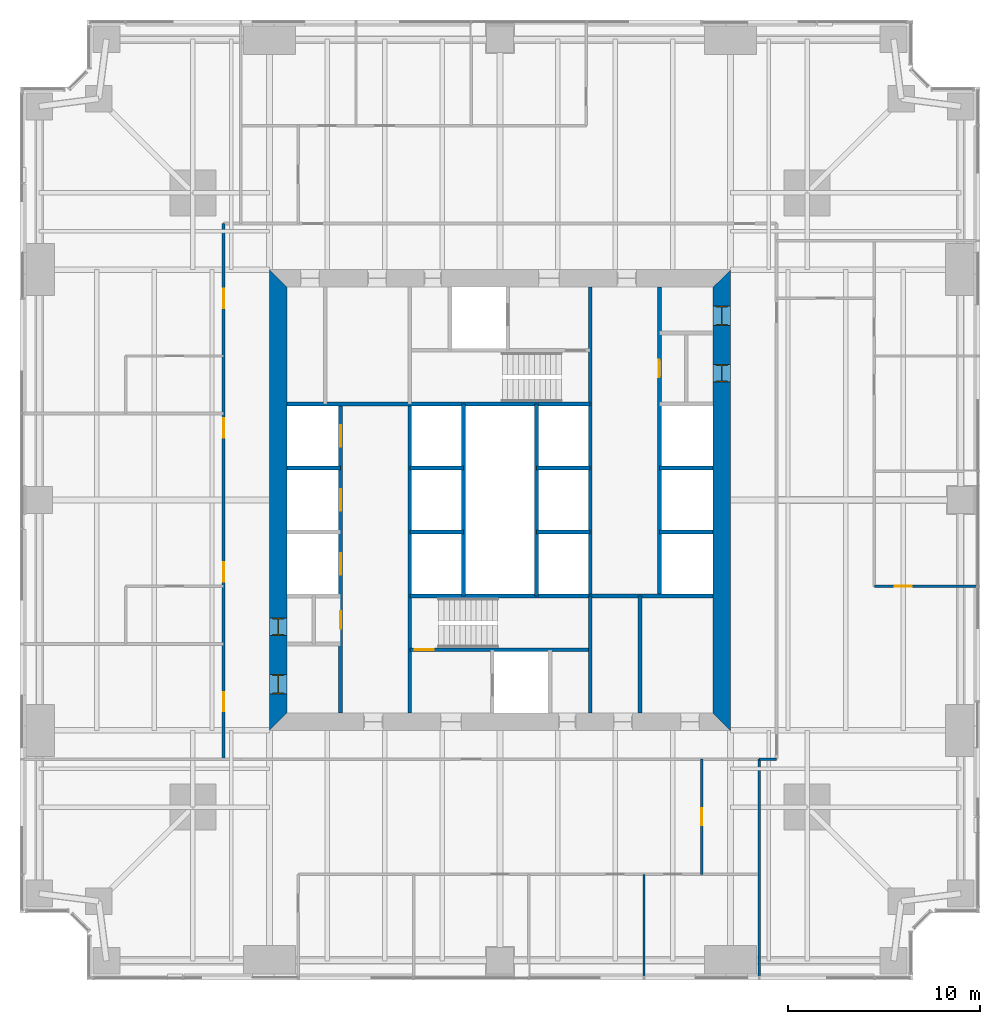
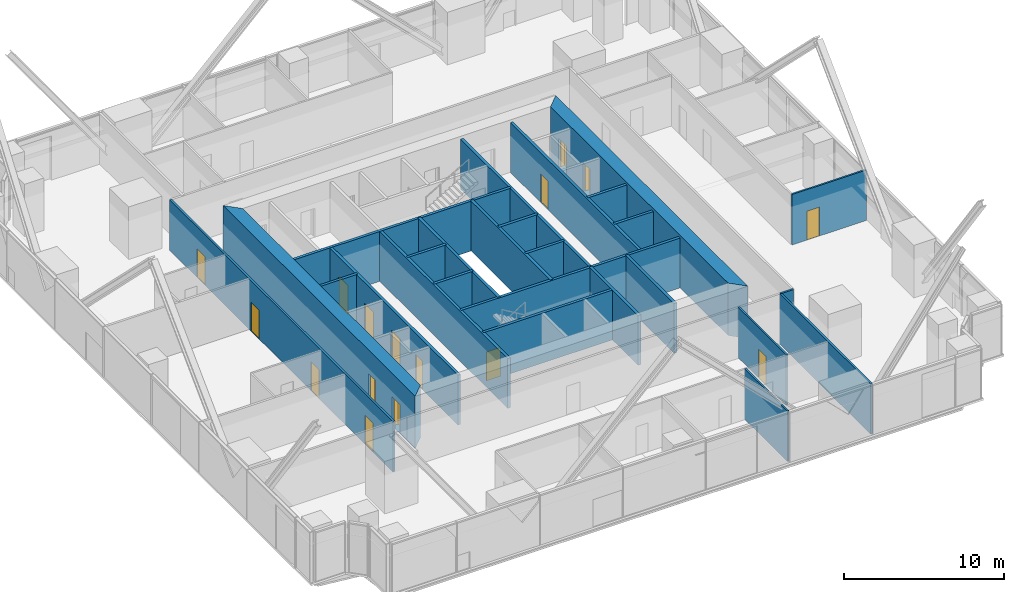
# One storey, part 10 of 14: 26 walls, 16 doors, 16 openings.
"""IFC4 building model written with IfcOpenShell, lengths in metres."""

from ifc_helpers import new_model, si_unit, direction, frame, frame_2d, origin, place, context, subcontext, project, spatial, polyline, rectangle, outline, extrude, material, layer, layer_set, type_object, element, fill, save


model = new_model("IFC4")

# Units and contexts
model_context = context("Model", 3, precision=1e-05, world=origin(), true_north=direction((0.0, 1.0)))
body_context = subcontext(model_context, "Body", "Model", "MODEL_VIEW")
ifc_project = project(units=[si_unit("LENGTHUNIT", "METRE"), si_unit("AREAUNIT", "SQUARE_METRE"), si_unit("VOLUMEUNIT", "CUBIC_METRE"), si_unit("PLANEANGLEUNIT", "RADIAN"), si_unit("MASSUNIT", "GRAM", prefix="KILO")], contexts=[model_context])

# Site, building, storey
site_placement = place(None, origin())
site = spatial("IfcSite", under=ifc_project, at=site_placement, CompositionType="ELEMENT")
building_placement = place(site_placement, origin())
building = spatial("IfcBuilding", under=site, at=building_placement, Name="Fenwick Lantern Interchange", CompositionType="ELEMENT")
storey_placement = place(building_placement, frame((0.0, 0.0, 79.0)))
storey = spatial("IfcBuildingStorey", under=building, at=storey_placement, Name="L18", CompositionType="ELEMENT", Elevation=79.0)

# Wall, openings, doors
ifc_material_1 = material(Name="Concrete masonry ASTM C90 Grade N", Category="masonry")
ifc_layer_1 = layer(ifc_material_1, 0.199951171875)
ifc_layer_set_1 = layer_set([ifc_layer_1], Name="Concrete masonry ASTM C90 Grade N")
wall_type_1 = type_object("IfcWallType", Name="CORE PARTITION 200", PredefinedType="PARTITIONING", material=ifc_layer_set_1)
wall_1_placement = place(storey_placement, frame((16.699951171875, 13.89990234375, 0.0), z_axis=(0.0, 0.0, 1.0), x_axis=(0.0, 1.0, 0.0)))
wall_1 = element("IfcWall", 1, at=wall_1_placement, inside=storey, type_object=wall_type_1, Name="L18/W/CORES/a", PredefinedType="PARTITIONING", context=body_context, shape_type="SweptSolid", body=[
    extrude(rectangle(XDim=16.10009765625, YDim=0.199951171875, at=frame_2d((8.050048828125, 0.0))), origin(), (0.0, 0.0, 1.0), 3.800048828125),
])
opening_1_placement = place(wall_1_placement, frame((4.39990234375, 0.0, 0.0)))
opening_1 = element("IfcOpeningElement", 2, at=opening_1_placement, cuts=wall_1, Name="Opening L18-D008", PredefinedType="OPENING", context=body_context, shape_type="SweptSolid", body=[
    extrude(rectangle(XDim=0.89990234375, YDim=2.199951171875, at=frame_2d((0.449951171875, 1.10009765625))), frame((0.0, 0.10986328125, 0.0), z_axis=(0.0, -1.0, 0.0), x_axis=(1.0, 0.0, 0.0)), (0.0, 0.0, 1.0), 0.219970703125),
])
opening_2_placement = place(wall_1_placement, frame((7.216552734375, 0.0, 0.0)))
opening_2 = element("IfcOpeningElement", 3, at=opening_2_placement, cuts=wall_1, Name="Opening LD-W1-1", PredefinedType="OPENING", context=body_context, shape_type="SweptSolid", body=[
    extrude(rectangle(XDim=1.10009765625, YDim=2.199951171875, at=frame_2d((0.550048828125, 1.10009765625))), frame((0.0, 0.10986328125, 0.0), z_axis=(0.0, -1.0, 0.0), x_axis=(1.0, 0.0, 0.0)), (0.0, 0.0, 1.0), 0.219970703125),
])
opening_3_placement = place(wall_1_placement, frame((10.550048828125, 0.0, 0.0)))
opening_3 = element("IfcOpeningElement", 4, at=opening_3_placement, cuts=wall_1, Name="Opening LD-W1-2", PredefinedType="OPENING", context=body_context, shape_type="SweptSolid", body=[
    extrude(rectangle(XDim=1.10009765625, YDim=2.199951171875, at=frame_2d((0.550048828125, 1.10009765625))), frame((0.0, 0.10986328125, 0.0), z_axis=(0.0, -1.0, 0.0), x_axis=(1.0, 0.0, 0.0)), (0.0, 0.0, 1.0), 0.219970703125),
])
opening_4_placement = place(wall_1_placement, frame((13.88330078125, 0.0, 0.0)))
opening_4 = element("IfcOpeningElement", 5, at=opening_4_placement, cuts=wall_1, Name="Opening LD-W1-3", PredefinedType="OPENING", context=body_context, shape_type="SweptSolid", body=[
    extrude(rectangle(XDim=1.10009765625, YDim=2.199951171875, at=frame_2d((0.550048828125, 1.10009765625))), frame((0.0, 0.10986328125, 0.0), z_axis=(0.0, -1.0, 0.0), x_axis=(1.0, 0.0, 0.0)), (0.0, 0.0, 1.0), 0.219970703125),
])
ifc_material_2 = material(Name="Steel door and frame", Category="steel")
door_type_1 = type_object("IfcDoorType", Name="LIFT LANDING DOOR 1100 X 2200", OperationType="DOUBLE_DOOR_SLIDING", PredefinedType="DOOR", material=ifc_material_2)
door_1_placement = place(opening_2_placement, origin())
door_1 = element("IfcDoor", 6, at=door_1_placement, inside=storey, type_object=door_type_1, Name="Lift landing door W1-1", OperationType="DOUBLE_DOOR_SLIDING", OverallHeight=2.199951171875, OverallWidth=1.10009765625, PredefinedType="DOOR", context=body_context, shape_type="SweptSolid", body=[
    extrude(rectangle(XDim=1.10009765625, YDim=2.199951171875, at=frame_2d((0.550048828125, 1.10009765625))), frame((0.0, 0.02490234375, 0.0), z_axis=(0.0, -1.0, 0.0), x_axis=(1.0, 0.0, 0.0)), (0.0, 0.0, 1.0), 0.050048828125),
])
fill(opening_2, door_1)
door_2_placement = place(opening_3_placement, origin())
door_2 = element("IfcDoor", 7, at=door_2_placement, inside=storey, type_object=door_type_1, Name="Lift landing door W1-2", OperationType="DOUBLE_DOOR_SLIDING", OverallHeight=2.199951171875, OverallWidth=1.10009765625, PredefinedType="DOOR", context=body_context, shape_type="SweptSolid", body=[
    extrude(rectangle(XDim=1.10009765625, YDim=2.199951171875, at=frame_2d((0.550048828125, 1.10009765625))), frame((0.0, 0.02490234375, 0.0), z_axis=(0.0, -1.0, 0.0), x_axis=(1.0, 0.0, 0.0)), (0.0, 0.0, 1.0), 0.050048828125),
])
fill(opening_3, door_2)
door_3_placement = place(opening_4_placement, origin())
door_3 = element("IfcDoor", 8, at=door_3_placement, inside=storey, type_object=door_type_1, Name="Lift landing door W1-3", OperationType="DOUBLE_DOOR_SLIDING", OverallHeight=2.199951171875, OverallWidth=1.10009765625, PredefinedType="DOOR", context=body_context, shape_type="SweptSolid", body=[
    extrude(rectangle(XDim=1.10009765625, YDim=2.199951171875, at=frame_2d((0.550048828125, 1.10009765625))), frame((0.0, 0.02490234375, 0.0), z_axis=(0.0, -1.0, 0.0), x_axis=(1.0, 0.0, 0.0)), (0.0, 0.0, 1.0), 0.050048828125),
])
fill(opening_4, door_3)
door_type_2 = type_object("IfcDoorType", Name="SERVICE DOOR 900 X 2200", OperationType="SINGLE_SWING_LEFT", PredefinedType="DOOR", material=ifc_material_2)
door_4_placement = place(opening_1_placement, origin())
door_4 = element("IfcDoor", 9, at=door_4_placement, inside=storey, type_object=door_type_2, Name="Service door", OperationType="SINGLE_SWING_LEFT", OverallHeight=2.199951171875, OverallWidth=0.89990234375, PredefinedType="DOOR", context=body_context, shape_type="SweptSolid", body=[
    extrude(rectangle(XDim=0.89990234375, YDim=2.199951171875, at=frame_2d((0.449951171875, 1.10009765625))), frame((0.0, 0.02490234375, 0.0), z_axis=(0.0, -1.0, 0.0), x_axis=(1.0, 0.0, 0.0)), (0.0, 0.0, 1.0), 0.050048828125),
])
fill(opening_1, door_4)

# Walls
for number, where, z_axis, x_axis, name in (
    (10, (13.89990234375, 26.666748046875, 0.0), (0.0, 0.0, 1.0), (1.0, 0.0, 0.0), "L18/W/CORES/d2"),
    (11, (20.300048828125, 23.333251953125, 0.0), (0.0, 0.0, 1.0), (1.0, 0.0, 0.0), "L18/W/CORES/e1"),
    (12, (20.300048828125, 26.666748046875, 0.0), (0.0, 0.0, 1.0), (1.0, 0.0, 0.0), "L18/W/CORES/e2"),
):
    element("IfcWall", number, at=place(storey_placement, frame(where, z_axis=z_axis, x_axis=x_axis)), inside=storey, type_object=wall_type_1, Name=name, PredefinedType="PARTITIONING", context=body_context, shape_type="SweptSolid", body=[
        extrude(rectangle(XDim=2.800048828125, YDim=0.199951171875, at=frame_2d((1.39990234375, 0.0))), origin(), (0.0, 0.0, 1.0), 3.800048828125),
    ])
wall_2_placement = place(storey_placement, frame((23.10009765625, 20.0, 0.0), z_axis=(0.0, 0.0, 1.0), x_axis=(0.0, 1.0, 0.0)))
element("IfcWall", 13, at=wall_2_placement, inside=storey, type_object=wall_type_1, Name="L18/W/CORES/e3", PredefinedType="PARTITIONING", context=body_context, shape_type="SweptSolid", body=[
    extrude(rectangle(XDim=10.0, YDim=0.199951171875, at=frame_2d((5.0, 0.0))), origin(), (0.0, 0.0, 1.0), 3.800048828125),
])
wall_3_placement = place(storey_placement, frame((32.300048828125, 13.89990234375, 0.0), z_axis=(0.0, 0.0, 1.0), x_axis=(0.0, 1.0, 0.0)))
element("IfcWall", 14, at=wall_3_placement, inside=storey, type_object=wall_type_1, Name="L18/W/CORES/i2", PredefinedType="PARTITIONING", context=body_context, shape_type="SweptSolid", body=[
    extrude(rectangle(XDim=6.10009765625, YDim=0.199951171875, at=frame_2d((3.050048828125, 0.0))), origin(), (0.0, 0.0, 1.0), 3.800048828125),
])

# Wall, opening, door
wall_4_placement = place(storey_placement, frame((33.300048828125, 36.10009765625, 0.0), z_axis=(0.0, 0.0, 1.0), x_axis=(0.0, -1.0, 0.0)))
wall_4 = element("IfcWall", 15, at=wall_4_placement, inside=storey, type_object=wall_type_1, Name="L18/W/COREN/a", PredefinedType="PARTITIONING", context=body_context, shape_type="SweptSolid", body=[
    extrude(rectangle(XDim=16.10009765625, YDim=0.199951171875, at=frame_2d((8.050048828125, 0.0))), origin(), (0.0, 0.0, 1.0), 3.800048828125),
])
opening_5_placement = place(wall_4_placement, frame((3.800048828125, 0.0, 0.0)))
opening_5 = element("IfcOpeningElement", 16, at=opening_5_placement, cuts=wall_4, Name="Opening L18-D017", PredefinedType="OPENING", context=body_context, shape_type="SweptSolid", body=[
    extrude(rectangle(XDim=0.89990234375, YDim=2.199951171875, at=frame_2d((0.449951171875, 1.10009765625))), frame((0.0, 0.10986328125, 0.0), z_axis=(0.0, -1.0, 0.0), x_axis=(1.0, 0.0, 0.0)), (0.0, 0.0, 1.0), 0.219970703125),
])
door_5_placement = place(opening_5_placement, origin())
door_5 = element("IfcDoor", 17, at=door_5_placement, inside=storey, type_object=door_type_2, Name="Service door", OperationType="SINGLE_SWING_LEFT", OverallHeight=2.199951171875, OverallWidth=0.89990234375, PredefinedType="DOOR", context=body_context, shape_type="SweptSolid", body=[
    extrude(rectangle(XDim=0.89990234375, YDim=2.199951171875, at=frame_2d((0.449951171875, 1.10009765625))), frame((0.0, 0.02490234375, 0.0), z_axis=(0.0, -1.0, 0.0), x_axis=(1.0, 0.0, 0.0)), (0.0, 0.0, 1.0), 0.050048828125),
])
fill(opening_5, door_5)

# Walls
for number, where, z_axis, x_axis, name in (
    (18, (36.10009765625, 26.666748046875, 0.0), (0.0, 0.0, 1.0), (-1.0, 0.0, 0.0), "L18/W/COREN/d1"),
    (19, (36.10009765625, 23.333251953125, 0.0), (0.0, 0.0, 1.0), (-1.0, 0.0, 0.0), "L18/W/COREN/d2"),
    (20, (29.699951171875, 26.666748046875, 0.0), (0.0, 0.0, 1.0), (-1.0, 0.0, 0.0), "L18/W/COREN/e1"),
    (21, (29.699951171875, 23.333251953125, 0.0), (0.0, 0.0, 1.0), (-1.0, 0.0, 0.0), "L18/W/COREN/e2"),
):
    element("IfcWall", number, at=place(storey_placement, frame(where, z_axis=z_axis, x_axis=x_axis)), inside=storey, type_object=wall_type_1, Name=name, PredefinedType="PARTITIONING", context=body_context, shape_type="SweptSolid", body=[
        extrude(rectangle(XDim=2.800048828125, YDim=0.199951171875, at=frame_2d((1.39990234375, 0.0))), origin(), (0.0, 0.0, 1.0), 3.800048828125),
    ])
wall_5_placement = place(storey_placement, frame((26.89990234375, 30.0, 0.0), z_axis=(0.0, 0.0, 1.0), x_axis=(0.0, -1.0, 0.0)))
element("IfcWall", 22, at=wall_5_placement, inside=storey, type_object=wall_type_1, Name="L18/W/COREN/e3", PredefinedType="PARTITIONING", context=body_context, shape_type="SweptSolid", body=[
    extrude(rectangle(XDim=10.0, YDim=0.199951171875, at=frame_2d((5.0, 0.0))), origin(), (0.0, 0.0, 1.0), 3.800048828125),
])

# Wall, openings, doors
ifc_material_3 = material(Name="Concrete f'c 70 MPa", Category="concrete")
ifc_layer_2 = layer(ifc_material_3, 0.89990234375)
ifc_layer_set_2 = layer_set([ifc_layer_2], Name="CORE WALL 900")
wall_type_2 = type_object("IfcWallType", Name="CORE WALL 900", PredefinedType="SHEAR", material=ifc_layer_set_2)
wall_6_placement = place(storey_placement, frame((36.550048828125, 13.89990234375, 0.0), z_axis=(0.0, 0.0, 1.0), x_axis=(0.0, 1.0, 0.0)))
wall_6 = element("IfcWall", 23, at=wall_6_placement, inside=storey, type_object=wall_type_2, Name="L18/CORE/E", PredefinedType="SHEAR", context=body_context, shape_type="SweptSolid", body=[
    extrude(outline(polyline([(-0.89990234375, -0.449951171875), (23.10009765625, -0.449951171875), (22.199951171875, 0.449951171875), (0.0, 0.449951171875), (-0.89990234375, -0.449951171875)])), origin(), (0.0, 0.0, 1.0), 4.0),
])
opening_6_placement = place(wall_6_placement, frame((20.199951171875, 0.0, 0.0)))
opening_6 = element("IfcOpeningElement", 24, at=opening_6_placement, cuts=wall_6, Name="Opening L18-D016", PredefinedType="OPENING", context=body_context, shape_type="SweptSolid", body=[
    extrude(rectangle(XDim=1.0, YDim=2.199951171875, at=frame_2d((0.5, 1.10009765625))), frame((0.0, 0.4599609375, 0.0), z_axis=(0.0, -1.0, 0.0), x_axis=(1.0, 0.0, 0.0)), (0.0, 0.0, 1.0), 0.919921875),
])
opening_7_placement = place(wall_6_placement, frame((17.25, 0.0, 0.0)))
opening_7 = element("IfcOpeningElement", 25, at=opening_7_placement, cuts=wall_6, Name="Opening L18-D018", PredefinedType="OPENING", context=body_context, shape_type="SweptSolid", body=[
    extrude(rectangle(XDim=0.89990234375, YDim=2.199951171875, at=frame_2d((0.449951171875, 1.10009765625))), frame((0.0, 0.4599609375, 0.0), z_axis=(0.0, -1.0, 0.0), x_axis=(1.0, 0.0, 0.0)), (0.0, 0.0, 1.0), 0.919921875),
])
door_type_3 = type_object("IfcDoorType", Name="SERVICE DOOR 1000 X 2200", OperationType="SINGLE_SWING_LEFT", PredefinedType="DOOR", material=ifc_material_2)
door_6_placement = place(opening_6_placement, origin())
door_6 = element("IfcDoor", 26, at=door_6_placement, inside=storey, type_object=door_type_3, Name="Service door", OperationType="SINGLE_SWING_LEFT", OverallHeight=2.199951171875, OverallWidth=1.0, PredefinedType="DOOR", context=body_context, shape_type="SweptSolid", body=[
    extrude(rectangle(XDim=1.0, YDim=2.199951171875, at=frame_2d((0.5, 1.10009765625))), frame((0.0, 0.02490234375, 0.0), z_axis=(0.0, -1.0, 0.0), x_axis=(1.0, 0.0, 0.0)), (0.0, 0.0, 1.0), 0.050048828125),
    extrude(outline(polyline([(0.0, 0.0), (0.0400390625, 0.0), (0.0400390625, 2.159912109375), (0.9599609375, 2.159912109375), (0.9599609375, 0.0), (1.0, 0.0), (1.0, 2.199951171875), (0.0, 2.199951171875), (0.0, 0.0)])), frame((0.0, 0.300048828125, 0.0), z_axis=(0.0, -1.0, 0.0), x_axis=(1.0, 0.0, 0.0)), (0.0, 0.0, 1.0), 0.60009765625),
])
fill(opening_6, door_6)
door_7_placement = place(opening_7_placement, origin())
door_7 = element("IfcDoor", 27, at=door_7_placement, inside=storey, type_object=door_type_2, Name="Service door", OperationType="SINGLE_SWING_LEFT", OverallHeight=2.199951171875, OverallWidth=0.89990234375, PredefinedType="DOOR", context=body_context, shape_type="SweptSolid", body=[
    extrude(rectangle(XDim=0.89990234375, YDim=2.199951171875, at=frame_2d((0.449951171875, 1.10009765625))), frame((0.0, 0.02490234375, 0.0), z_axis=(0.0, -1.0, 0.0), x_axis=(1.0, 0.0, 0.0)), (0.0, 0.0, 1.0), 0.050048828125),
    extrude(outline(polyline([(0.0, 0.0), (0.0400390625, 0.0), (0.0400390625, 2.159912109375), (0.85986328125, 2.159912109375), (0.85986328125, 0.0), (0.89990234375, 0.0), (0.89990234375, 2.199951171875), (0.0, 2.199951171875), (0.0, 0.0)])), frame((0.0, 0.300048828125, 0.0), z_axis=(0.0, -1.0, 0.0), x_axis=(1.0, 0.0, 0.0)), (0.0, 0.0, 1.0), 0.60009765625),
])
fill(opening_7, door_7)

wall_7_placement = place(storey_placement, frame((13.449951171875, 36.10009765625, 0.0), z_axis=(0.0, 0.0, 1.0), x_axis=(0.0, -1.0, 0.0)))
wall_7 = element("IfcWall", 28, at=wall_7_placement, inside=storey, type_object=wall_type_2, Name="L18/CORE/W", PredefinedType="SHEAR", context=body_context, shape_type="SweptSolid", body=[
    extrude(outline(polyline([(-0.89990234375, -0.449951171875), (23.10009765625, -0.449951171875), (22.199951171875, 0.449951171875), (0.0, 0.449951171875), (-0.89990234375, -0.449951171875)])), origin(), (0.0, 0.0, 1.0), 4.0),
])
opening_8_placement = place(wall_7_placement, frame((20.199951171875, 0.0, 0.0)))
opening_8 = element("IfcOpeningElement", 29, at=opening_8_placement, cuts=wall_7, Name="Opening L18-D007", PredefinedType="OPENING", context=body_context, shape_type="SweptSolid", body=[
    extrude(rectangle(XDim=1.0, YDim=2.199951171875, at=frame_2d((0.5, 1.10009765625))), frame((0.0, 0.4599609375, 0.0), z_axis=(0.0, -1.0, 0.0), x_axis=(1.0, 0.0, 0.0)), (0.0, 0.0, 1.0), 0.919921875),
])
opening_9_placement = place(wall_7_placement, frame((17.25, 0.0, 0.0)))
opening_9 = element("IfcOpeningElement", 30, at=opening_9_placement, cuts=wall_7, Name="Opening L18-D009", PredefinedType="OPENING", context=body_context, shape_type="SweptSolid", body=[
    extrude(rectangle(XDim=0.89990234375, YDim=2.199951171875, at=frame_2d((0.449951171875, 1.10009765625))), frame((0.0, 0.4599609375, 0.0), z_axis=(0.0, -1.0, 0.0), x_axis=(1.0, 0.0, 0.0)), (0.0, 0.0, 1.0), 0.919921875),
])
door_8_placement = place(opening_9_placement, origin())
door_8 = element("IfcDoor", 31, at=door_8_placement, inside=storey, type_object=door_type_2, Name="Service door", OperationType="SINGLE_SWING_RIGHT", OverallHeight=2.199951171875, OverallWidth=0.89990234375, PredefinedType="DOOR", context=body_context, shape_type="SweptSolid", body=[
    extrude(rectangle(XDim=0.89990234375, YDim=2.199951171875, at=frame_2d((0.449951171875, 1.10009765625))), frame((0.0, 0.02490234375, 0.0), z_axis=(0.0, -1.0, 0.0), x_axis=(1.0, 0.0, 0.0)), (0.0, 0.0, 1.0), 0.050048828125),
    extrude(outline(polyline([(0.0, 0.0), (0.0400390625, 0.0), (0.0400390625, 2.159912109375), (0.85986328125, 2.159912109375), (0.85986328125, 0.0), (0.89990234375, 0.0), (0.89990234375, 2.199951171875), (0.0, 2.199951171875), (0.0, 0.0)])), frame((0.0, 0.300048828125, 0.0), z_axis=(0.0, -1.0, 0.0), x_axis=(1.0, 0.0, 0.0)), (0.0, 0.0, 1.0), 0.60009765625),
])
fill(opening_9, door_8)
ifc_material_4 = material(Name="Hardwood door and steel frame", Category="steel")
door_type_4 = type_object("IfcDoorType", Name="WC DOOR 1000 X 2200", OperationType="SINGLE_SWING_LEFT", PredefinedType="DOOR", material=ifc_material_4)
door_9_placement = place(opening_8_placement, origin())
door_9 = element("IfcDoor", 32, at=door_9_placement, inside=storey, type_object=door_type_4, Name="Wc door", OperationType="SINGLE_SWING_RIGHT", OverallHeight=2.199951171875, OverallWidth=1.0, PredefinedType="DOOR", context=body_context, shape_type="SweptSolid", body=[
    extrude(rectangle(XDim=1.0, YDim=2.199951171875, at=frame_2d((0.5, 1.10009765625))), frame((0.0, 0.02490234375, 0.0), z_axis=(0.0, -1.0, 0.0), x_axis=(1.0, 0.0, 0.0)), (0.0, 0.0, 1.0), 0.050048828125),
    extrude(outline(polyline([(0.0, 0.0), (0.0400390625, 0.0), (0.0400390625, 2.159912109375), (0.9599609375, 2.159912109375), (0.9599609375, 0.0), (1.0, 0.0), (1.0, 2.199951171875), (0.0, 2.199951171875), (0.0, 0.0)])), frame((0.0, 0.300048828125, 0.0), z_axis=(0.0, -1.0, 0.0), x_axis=(1.0, 0.0, 0.0)), (0.0, 0.0, 1.0), 0.60009765625),
])
fill(opening_8, door_9)

# Wall
ifc_material_5 = material(Name="Gypsum board on steel studs, 1 hour", Category="steel")
ifc_layer_3 = layer(ifc_material_5, 0.14990234375)
ifc_layer_set_3 = layer_set([ifc_layer_3], Name="CORRIDOR WALL 150")
wall_type_3 = type_object("IfcWallType", Name="CORRIDOR WALL 150", PredefinedType="PARTITIONING", material=ifc_layer_set_3)
wall_8_placement = place(storey_placement, frame((38.5, 11.5, 0.0), z_axis=(0.0, 0.0, 1.0), x_axis=(1.0, 0.0, 0.0)))
element("IfcWall", 33, at=wall_8_placement, inside=storey, type_object=wall_type_3, Name="L18/W/OFF/E/CWJ", PredefinedType="PARTITIONING", context=body_context, shape_type="SweptSolid", body=[
    extrude(rectangle(XDim=0.89990234375, YDim=0.14990234375, at=frame_2d((0.449951171875, 0.0))), origin(), (0.0, 0.0, 1.0), 3.85009765625),
])

# Wall, openings, doors
wall_9_placement = place(storey_placement, frame((10.60009765625, 39.39990234375, 0.0), z_axis=(0.0, 0.0, 1.0), x_axis=(0.0, -1.0, 0.0)))
wall_9 = element("IfcWall", 34, at=wall_9_placement, inside=storey, type_object=wall_type_3, Name="L18/W/OFF/W/CW2", PredefinedType="PARTITIONING", context=body_context, shape_type="SweptSolid", body=[
    extrude(rectangle(XDim=27.89990234375, YDim=0.14990234375, at=frame_2d((13.949951171875, 0.0))), origin(), (0.0, 0.0, 1.0), 3.85009765625),
])
opening_10_placement = place(wall_9_placement, frame((3.39990234375, 0.0, 0.0)))
opening_10 = element("IfcOpeningElement", 35, at=opening_10_placement, cuts=wall_9, Name="Opening L18-D037", PredefinedType="OPENING", context=body_context, shape_type="SweptSolid", body=[
    extrude(rectangle(XDim=1.0, YDim=2.199951171875, at=frame_2d((0.5, 1.10009765625))), frame((0.0, 0.0849609375, 0.0), z_axis=(0.0, -1.0, 0.0), x_axis=(1.0, 0.0, 0.0)), (0.0, 0.0, 1.0), 0.169921875),
])
opening_11_placement = place(wall_9_placement, frame((10.14990234375, 0.0, 0.0)))
opening_11 = element("IfcOpeningElement", 36, at=opening_11_placement, cuts=wall_9, Name="Opening L18-D039", PredefinedType="OPENING", context=body_context, shape_type="SweptSolid", body=[
    extrude(rectangle(XDim=1.0, YDim=2.199951171875, at=frame_2d((0.5, 1.10009765625))), frame((0.0, 0.0849609375, 0.0), z_axis=(0.0, -1.0, 0.0), x_axis=(1.0, 0.0, 0.0)), (0.0, 0.0, 1.0), 0.169921875),
])
opening_12_placement = place(wall_9_placement, frame((17.64990234375, 0.0, 0.0)))
opening_12 = element("IfcOpeningElement", 37, at=opening_12_placement, cuts=wall_9, Name="Opening L18-D040", PredefinedType="OPENING", context=body_context, shape_type="SweptSolid", body=[
    extrude(rectangle(XDim=1.0, YDim=2.199951171875, at=frame_2d((0.5, 1.10009765625))), frame((0.0, 0.0849609375, 0.0), z_axis=(0.0, -1.0, 0.0), x_axis=(1.0, 0.0, 0.0)), (0.0, 0.0, 1.0), 0.169921875),
])
opening_13_placement = place(wall_9_placement, frame((24.39990234375, 0.0, 0.0)))
opening_13 = element("IfcOpeningElement", 38, at=opening_13_placement, cuts=wall_9, Name="Opening L18-D042", PredefinedType="OPENING", context=body_context, shape_type="SweptSolid", body=[
    extrude(rectangle(XDim=1.0, YDim=2.199951171875, at=frame_2d((0.5, 1.10009765625))), frame((0.0, 0.0849609375, 0.0), z_axis=(0.0, -1.0, 0.0), x_axis=(1.0, 0.0, 0.0)), (0.0, 0.0, 1.0), 0.169921875),
])
door_type_5 = type_object("IfcDoorType", Name="SUITE ENTRANCE DOOR 1000 X 2200", OperationType="SINGLE_SWING_LEFT", PredefinedType="DOOR", material=ifc_material_2)
door_10_placement = place(opening_10_placement, frame((1.0, 0.0, 0.0), z_axis=(0.0, 0.0, 1.0), x_axis=(-1.0, 0.0, 0.0)))
door_10 = element("IfcDoor", 39, at=door_10_placement, inside=storey, type_object=door_type_5, Name="Suite entrance door", OperationType="SINGLE_SWING_LEFT", OverallHeight=2.199951171875, OverallWidth=1.0, PredefinedType="DOOR", context=body_context, shape_type="SweptSolid", body=[
    extrude(rectangle(XDim=1.0, YDim=2.199951171875, at=frame_2d((0.5, 1.10009765625))), frame((0.0, 0.02490234375, 0.0), z_axis=(0.0, -1.0, 0.0), x_axis=(1.0, 0.0, 0.0)), (0.0, 0.0, 1.0), 0.050048828125),
])
fill(opening_10, door_10)
door_11_placement = place(opening_11_placement, origin())
door_11 = element("IfcDoor", 40, at=door_11_placement, inside=storey, type_object=door_type_5, Name="Suite entrance door", OperationType="SINGLE_SWING_LEFT", OverallHeight=2.199951171875, OverallWidth=1.0, PredefinedType="DOOR", context=body_context, shape_type="SweptSolid", body=[
    extrude(rectangle(XDim=1.0, YDim=2.199951171875, at=frame_2d((0.5, 1.10009765625))), frame((0.0, 0.02490234375, 0.0), z_axis=(0.0, -1.0, 0.0), x_axis=(1.0, 0.0, 0.0)), (0.0, 0.0, 1.0), 0.050048828125),
])
fill(opening_11, door_11)
door_12_placement = place(opening_12_placement, origin())
door_12 = element("IfcDoor", 41, at=door_12_placement, inside=storey, type_object=door_type_5, Name="Suite entrance door", OperationType="SINGLE_SWING_RIGHT", OverallHeight=2.199951171875, OverallWidth=1.0, PredefinedType="DOOR", context=body_context, shape_type="SweptSolid", body=[
    extrude(rectangle(XDim=1.0, YDim=2.199951171875, at=frame_2d((0.5, 1.10009765625))), frame((0.0, 0.02490234375, 0.0), z_axis=(0.0, -1.0, 0.0), x_axis=(1.0, 0.0, 0.0)), (0.0, 0.0, 1.0), 0.050048828125),
])
fill(opening_12, door_12)
door_13_placement = place(opening_13_placement, frame((1.0, 0.0, 0.0), z_axis=(0.0, 0.0, 1.0), x_axis=(-1.0, 0.0, 0.0)))
door_13 = element("IfcDoor", 42, at=door_13_placement, inside=storey, type_object=door_type_5, Name="Suite entrance door", OperationType="SINGLE_SWING_RIGHT", OverallHeight=2.199951171875, OverallWidth=1.0, PredefinedType="DOOR", context=body_context, shape_type="SweptSolid", body=[
    extrude(rectangle(XDim=1.0, YDim=2.199951171875, at=frame_2d((0.5, 1.10009765625))), frame((0.0, 0.02490234375, 0.0), z_axis=(0.0, -1.0, 0.0), x_axis=(1.0, 0.0, 0.0)), (0.0, 0.0, 1.0), 0.050048828125),
])
fill(opening_13, door_13)

# Wall
ifc_material_6 = material(Name="Gypsum board on steel studs, acoustic", Category="steel")
ifc_layer_4 = layer(ifc_material_6, 0.125)
ifc_layer_set_4 = layer_set([ifc_layer_4], Name="OFFICE PARTITION 125")
wall_type_4 = type_object("IfcWallType", Name="OFFICE PARTITION 125", PredefinedType="PARTITIONING", material=ifc_layer_set_4)
wall_10_placement = place(storey_placement, frame((32.5, 0.14990234375, 0.0), z_axis=(0.0, 0.0, 1.0), x_axis=(0.0, 1.0, 0.0)))
element("IfcWall", 43, at=wall_10_placement, inside=storey, type_object=wall_type_4, Name="L18/W/OFF/S/X325-1", PredefinedType="PARTITIONING", context=body_context, shape_type="SweptSolid", body=[
    extrude(rectangle(XDim=5.35009765625, YDim=0.125, at=frame_2d((2.675048828125, 0.0))), origin(), (0.0, 0.0, 1.0), 3.85009765625),
])

# Wall, opening, door
wall_11_placement = place(storey_placement, frame((35.5, 5.5, 0.0), z_axis=(0.0, 0.0, 1.0), x_axis=(0.0, 1.0, 0.0)))
wall_11 = element("IfcWall", 44, at=wall_11_placement, inside=storey, type_object=wall_type_4, Name="L18/W/OFF/S/X355-1", PredefinedType="PARTITIONING", context=body_context, shape_type="SweptSolid", body=[
    extrude(rectangle(XDim=6.0, YDim=0.125, at=frame_2d((3.0, 0.0))), origin(), (0.0, 0.0, 1.0), 3.85009765625),
])
opening_14_placement = place(wall_11_placement, frame((2.550048828125, 0.0, 0.0)))
opening_14 = element("IfcOpeningElement", 45, at=opening_14_placement, cuts=wall_11, Name="Opening L18-D024", PredefinedType="OPENING", context=body_context, shape_type="SweptSolid", body=[
    extrude(rectangle(XDim=0.89990234375, YDim=2.199951171875, at=frame_2d((0.449951171875, 1.10009765625))), frame((0.0, 0.072509765625, 0.0), z_axis=(0.0, -1.0, 0.0), x_axis=(1.0, 0.0, 0.0)), (0.0, 0.0, 1.0), 0.14501953125),
])
door_type_6 = type_object("IfcDoorType", Name="OFFICE DOOR 900 X 2200", OperationType="SINGLE_SWING_LEFT", PredefinedType="DOOR", material=ifc_material_4)
door_14_placement = place(opening_14_placement, frame((0.89990234375, 0.0, 0.0), z_axis=(0.0, 0.0, 1.0), x_axis=(-1.0, 0.0, 0.0)))
door_14 = element("IfcDoor", 46, at=door_14_placement, inside=storey, type_object=door_type_6, Name="Office door", OperationType="SINGLE_SWING_RIGHT", OverallHeight=2.199951171875, OverallWidth=0.89990234375, PredefinedType="DOOR", context=body_context, shape_type="SweptSolid", body=[
    extrude(rectangle(XDim=0.89990234375, YDim=2.199951171875, at=frame_2d((0.449951171875, 1.10009765625))), frame((0.0, 0.02490234375, 0.0), z_axis=(0.0, -1.0, 0.0), x_axis=(1.0, 0.0, 0.0)), (0.0, 0.0, 1.0), 0.050048828125),
])
fill(opening_14, door_14)

wall_12_placement = place(storey_placement, frame((49.85009765625, 20.5, 0.0), z_axis=(0.0, 0.0, 1.0), x_axis=(-1.0, 0.0, 0.0)))
wall_12 = element("IfcWall", 47, at=wall_12_placement, inside=storey, type_object=wall_type_4, Name="L18/W/OFF/E/X205-1", PredefinedType="PARTITIONING", context=body_context, shape_type="SweptSolid", body=[
    extrude(rectangle(XDim=5.35009765625, YDim=0.125, at=frame_2d((2.675048828125, 0.0))), origin(), (0.0, 0.0, 1.0), 3.85009765625),
])
opening_15_placement = place(wall_12_placement, frame((3.39990234375, 0.0, 0.0)))
opening_15 = element("IfcOpeningElement", 48, at=opening_15_placement, cuts=wall_12, Name="Opening L18-D027", PredefinedType="OPENING", context=body_context, shape_type="SweptSolid", body=[
    extrude(rectangle(XDim=0.89990234375, YDim=2.199951171875, at=frame_2d((0.449951171875, 1.10009765625))), frame((0.0, 0.072509765625, 0.0), z_axis=(0.0, -1.0, 0.0), x_axis=(1.0, 0.0, 0.0)), (0.0, 0.0, 1.0), 0.14501953125),
])
door_15_placement = place(opening_15_placement, frame((0.89990234375, 0.0, 0.0), z_axis=(0.0, 0.0, 1.0), x_axis=(-1.0, 0.0, 0.0)))
door_15 = element("IfcDoor", 49, at=door_15_placement, inside=storey, type_object=door_type_6, Name="Office door", OperationType="SINGLE_SWING_LEFT", OverallHeight=2.199951171875, OverallWidth=0.89990234375, PredefinedType="DOOR", context=body_context, shape_type="SweptSolid", body=[
    extrude(rectangle(XDim=0.89990234375, YDim=2.199951171875, at=frame_2d((0.449951171875, 1.10009765625))), frame((0.0, 0.02490234375, 0.0), z_axis=(0.0, -1.0, 0.0), x_axis=(1.0, 0.0, 0.0)), (0.0, 0.0, 1.0), 0.050048828125),
])
fill(opening_15, door_15)

# Wall
ifc_material_7 = material(Name="Concrete f'c 45 MPa", Category="concrete")
ifc_layer_5 = layer(ifc_material_7, 0.199951171875)
ifc_layer_set_5 = layer_set([ifc_layer_5], Name="STAIR CORE WALL 200")
wall_type_5 = type_object("IfcWallType", Name="STAIR CORE WALL 200", PredefinedType="SOLIDWALL", material=ifc_layer_set_5)
wall_13_placement = place(storey_placement, frame((20.300048828125, 13.89990234375, 0.0), z_axis=(0.0, 0.0, 1.0), x_axis=(0.0, 1.0, 0.0)))
element("IfcWall", 50, at=wall_13_placement, inside=storey, type_object=wall_type_5, Name="L18/W/CORES/b", PredefinedType="SOLIDWALL", context=body_context, shape_type="SweptSolid", body=[
    extrude(rectangle(XDim=16.10009765625, YDim=0.199951171875, at=frame_2d((8.050048828125, 0.0))), origin(), (0.0, 0.0, 1.0), 3.800048828125),
])

# Wall, opening, door
wall_14_placement = place(storey_placement, frame((20.300048828125, 17.199951171875, 0.0), z_axis=(0.0, 0.0, 1.0), x_axis=(1.0, 0.0, 0.0)))
wall_14 = element("IfcWall", 51, at=wall_14_placement, inside=storey, type_object=wall_type_5, Name="L18/W/CORES/g1", PredefinedType="SOLIDWALL", context=body_context, shape_type="SweptSolid", body=[
    extrude(rectangle(XDim=9.39990234375, YDim=0.199951171875, at=frame_2d((4.699951171875, 0.0))), origin(), (0.0, 0.0, 1.0), 3.800048828125),
])
opening_16_placement = place(wall_14_placement, frame((0.25, 0.0, 0.0)))
opening_16 = element("IfcOpeningElement", 52, at=opening_16_placement, cuts=wall_14, Name="Opening L18-D003", PredefinedType="OPENING", context=body_context, shape_type="SweptSolid", body=[
    extrude(rectangle(XDim=1.0, YDim=2.199951171875, at=frame_2d((0.5, 1.10009765625))), frame((0.0, 0.10986328125, 0.0), z_axis=(0.0, -1.0, 0.0), x_axis=(1.0, 0.0, 0.0)), (0.0, 0.0, 1.0), 0.219970703125),
])
door_type_7 = type_object("IfcDoorType", Name="STAIR DOOR 1000 X 2200", OperationType="SINGLE_SWING_LEFT", PredefinedType="DOOR", material=ifc_material_2)
door_16_placement = place(opening_16_placement, origin())
door_16 = element("IfcDoor", 53, at=door_16_placement, inside=storey, type_object=door_type_7, Name="Stair door", OperationType="SINGLE_SWING_LEFT", OverallHeight=2.199951171875, OverallWidth=1.0, PredefinedType="DOOR", context=body_context, shape_type="SweptSolid", body=[
    extrude(rectangle(XDim=1.0, YDim=2.199951171875, at=frame_2d((0.5, 1.10009765625))), frame((0.0, 0.02490234375, 0.0), z_axis=(0.0, -1.0, 0.0), x_axis=(1.0, 0.0, 0.0)), (0.0, 0.0, 1.0), 0.050048828125),
])
fill(opening_16, door_16)

# Walls
wall_15_placement = place(storey_placement, frame((20.300048828125, 20.0, 0.0), z_axis=(0.0, 0.0, 1.0), x_axis=(1.0, 0.0, 0.0)))
element("IfcWall", 54, at=wall_15_placement, inside=storey, type_object=wall_type_5, Name="L18/W/CORES/g2", PredefinedType="SOLIDWALL", context=body_context, shape_type="SweptSolid", body=[
    extrude(rectangle(XDim=15.800048828125, YDim=0.199951171875, at=frame_2d((7.89990234375, 0.0))), origin(), (0.0, 0.0, 1.0), 3.800048828125),
])
wall_16_placement = place(storey_placement, frame((29.699951171875, 13.89990234375, 0.0), z_axis=(0.0, 0.0, 1.0), x_axis=(0.0, 1.0, 0.0)))
element("IfcWall", 55, at=wall_16_placement, inside=storey, type_object=wall_type_5, Name="L18/W/CORES/i1", PredefinedType="SOLIDWALL", context=body_context, shape_type="SweptSolid", body=[
    extrude(rectangle(XDim=6.10009765625, YDim=0.199951171875, at=frame_2d((3.050048828125, 0.0))), origin(), (0.0, 0.0, 1.0), 3.800048828125),
])
wall_17_placement = place(storey_placement, frame((29.699951171875, 36.10009765625, 0.0), z_axis=(0.0, 0.0, 1.0), x_axis=(0.0, -1.0, 0.0)))
element("IfcWall", 56, at=wall_17_placement, inside=storey, type_object=wall_type_5, Name="L18/W/COREN/b", PredefinedType="SOLIDWALL", context=body_context, shape_type="SweptSolid", body=[
    extrude(rectangle(XDim=16.10009765625, YDim=0.199951171875, at=frame_2d((8.050048828125, 0.0))), origin(), (0.0, 0.0, 1.0), 3.800048828125),
])
wall_18_placement = place(storey_placement, frame((29.699951171875, 30.0, 0.0), z_axis=(0.0, 0.0, 1.0), x_axis=(-1.0, 0.0, 0.0)))
element("IfcWall", 57, at=wall_18_placement, inside=storey, type_object=wall_type_5, Name="L18/W/COREN/g2", PredefinedType="SOLIDWALL", context=body_context, shape_type="SweptSolid", body=[
    extrude(rectangle(XDim=15.800048828125, YDim=0.199951171875, at=frame_2d((7.89990234375, 0.0))), origin(), (0.0, 0.0, 1.0), 3.800048828125),
])
ifc_material_8 = material(Name="Gypsum board on steel studs, 1 hour acoustic", Category="steel")
ifc_layer_6 = layer(ifc_material_8, 0.14990234375)
ifc_layer_set_6 = layer_set([ifc_layer_6], Name="TENANT WALL 150")
wall_type_6 = type_object("IfcWallType", Name="TENANT WALL 150", PredefinedType="PARTITIONING", material=ifc_layer_set_6)
wall_19_placement = place(storey_placement, frame((38.5, 0.14990234375, 0.0), z_axis=(0.0, 0.0, 1.0), x_axis=(0.0, 1.0, 0.0)))
element("IfcWall", 58, at=wall_19_placement, inside=storey, type_object=wall_type_6, Name="L18/W/OFF/E/BACK", PredefinedType="PARTITIONING", context=body_context, shape_type="SweptSolid", body=[
    extrude(rectangle(XDim=11.35009765625, YDim=0.14990234375, at=frame_2d((5.675048828125, 0.0))), origin(), (0.0, 0.0, 1.0), 3.85009765625),
])

save(model, "model.ifc")
